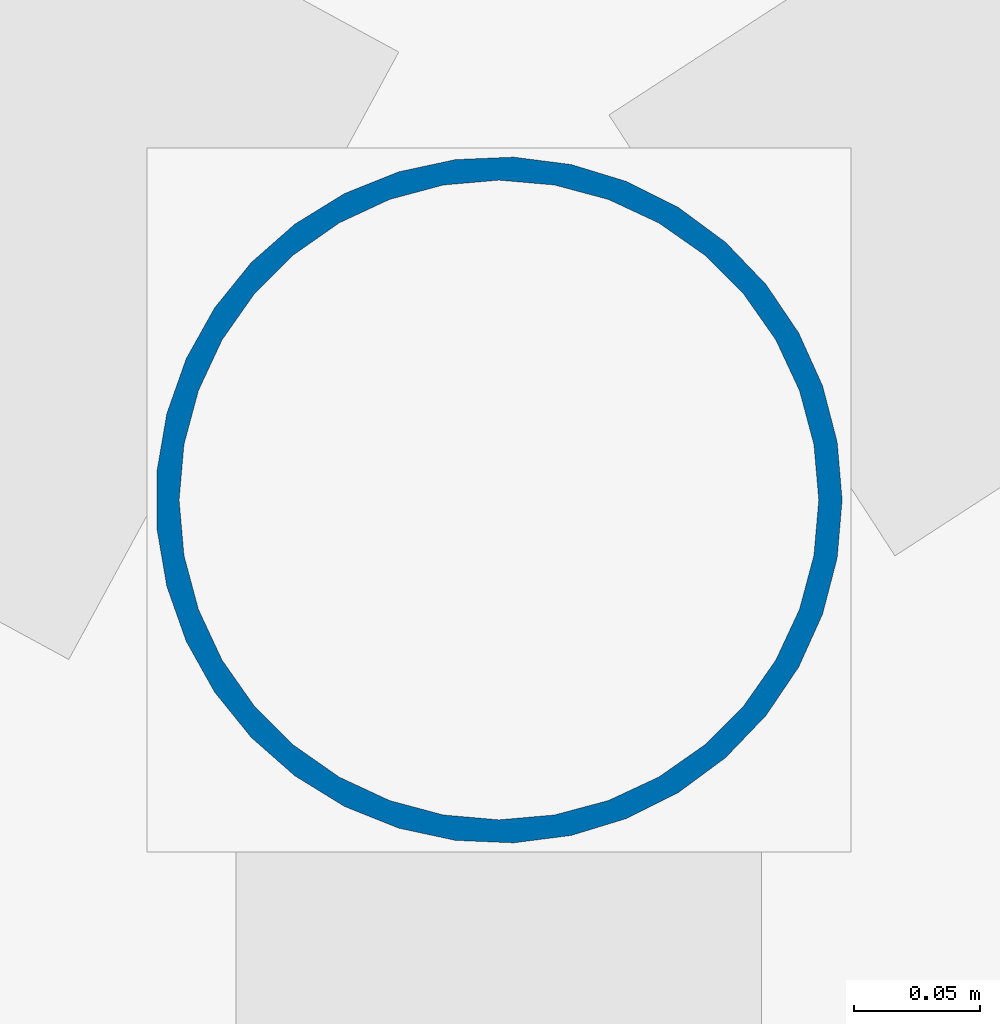
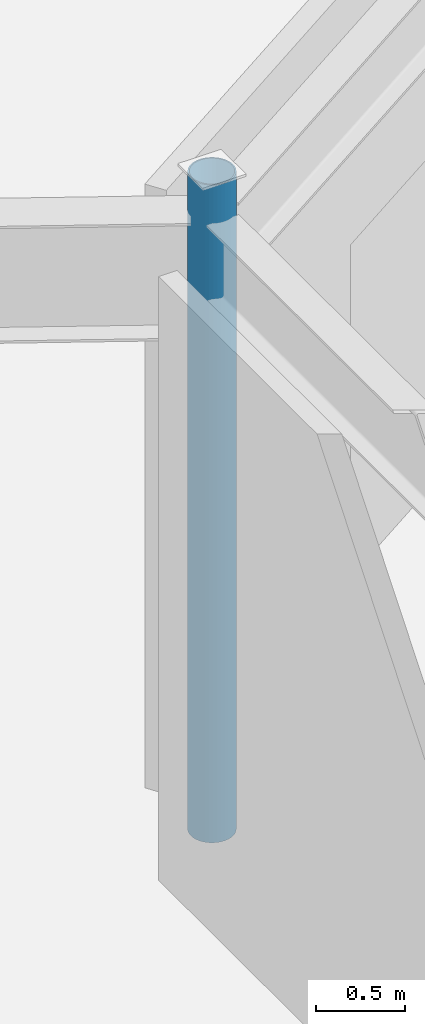
# One storey, part 12 of 77: 1 column.
"""IFC4 building model written with IfcOpenShell, lengths in metres."""

from ifc_helpers import new_model, si_unit, direction, frame, origin, origin_2d, place, context, subcontext, project, spatial, hollow_circle, extrude, material, material_profile, profile_set, type_object, element, save


model = new_model("IFC4")

# Units and contexts
model_context = context("Model", 3, precision=1e-05, world=origin(), true_north=direction((0.0, 1.0)))
body_context = subcontext(model_context, "Body", "Model", "MODEL_VIEW")
ifc_project = project(units=[si_unit("LENGTHUNIT", "METRE"), si_unit("AREAUNIT", "SQUARE_METRE"), si_unit("VOLUMEUNIT", "CUBIC_METRE"), si_unit("PLANEANGLEUNIT", "RADIAN"), si_unit("MASSUNIT", "GRAM", prefix="KILO")], contexts=[model_context])

# Site, building, storey
site_placement = place(None, origin())
site = spatial("IfcSite", under=ifc_project, at=site_placement, CompositionType="ELEMENT")
building_placement = place(site_placement, origin())
building = spatial("IfcBuilding", under=site, at=building_placement, Name="Sarnbrook Museum", CompositionType="ELEMENT")
storey_placement = place(building_placement, frame((0.0, 0.0, 5.60009765625)))
storey = spatial("IfcBuildingStorey", under=building, at=storey_placement, Name="L01", CompositionType="ELEMENT", Elevation=5.60009765625)

# Column
ifc_material = material(Name="Structural Steel Hollow Section Grade C350L0 (AS/NZS 1163, fy = 350 MPa)", Category="steel")
ifc_material_profile = material_profile(ifc_material, hollow_circle(Radius=0.136474609375, WallThickness=0.00927734375, at=origin_2d()), Name="273.1x9.3CHS")
ifc_profile_set = profile_set([ifc_material_profile], Name="Structural Steel Hollow Section Grade C350L0 (AS/NZS 1163, fy = 350 MPa)")
column_type = type_object("IfcColumnType", Name="COL-CHS273", PredefinedType="COLUMN", material=ifc_profile_set)
column_placement = place(storey_placement, frame((132.800048828125, 96.81201171875, 0.0), z_axis=(0.0, 0.0, 1.0), x_axis=(1.0, 0.0, 0.0)))
element("IfcColumn", 1, at=column_placement, inside=storey, type_object=column_type, Name="Crystal Gallery Feature Column R2-7 L01", PredefinedType="COLUMN", context=body_context, shape_type="SweptSolid", body=[
    extrude(hollow_circle(Radius=0.136474609375, WallThickness=0.00927734375, at=origin_2d()), origin(), (0.0, 0.0, 1.0), 4.5),
])

save(model, "model.ifc")
